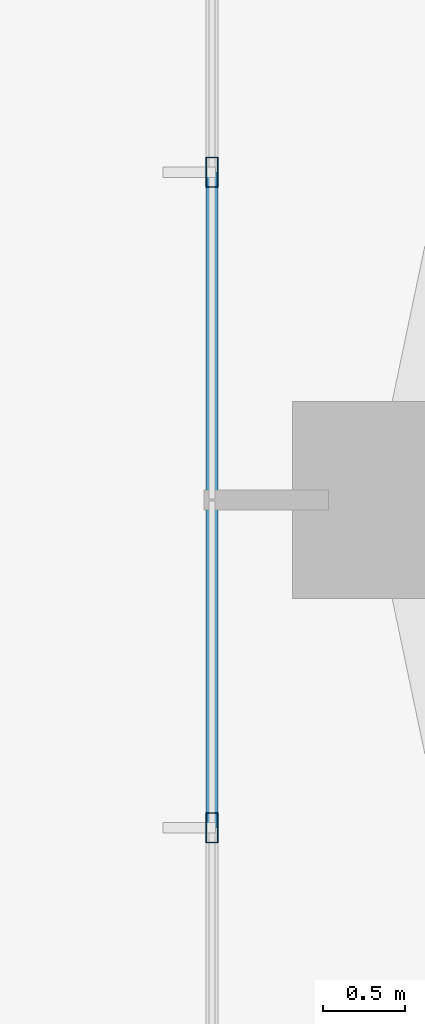
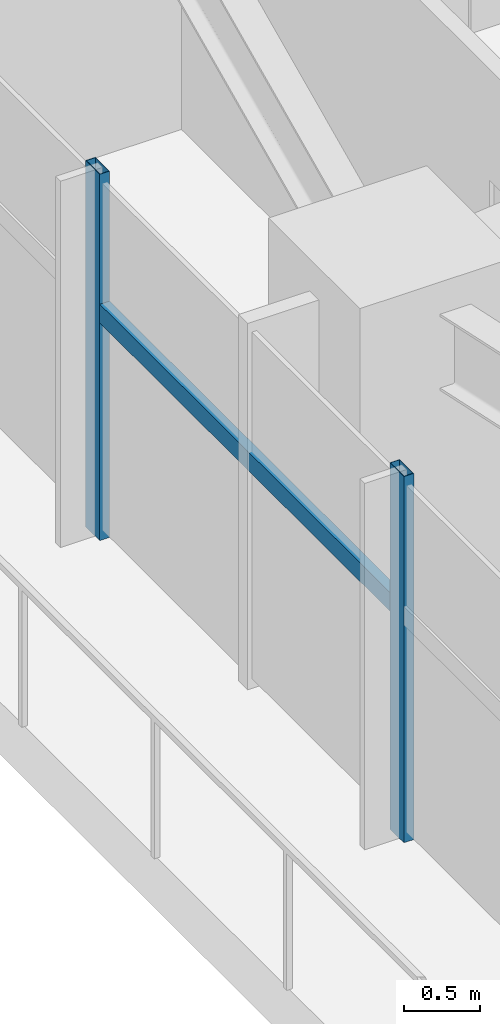
# One storey, part 4 of 26: 3 members, 1 element without a shape of its own.
"""IFC4 building model written with IfcOpenShell, lengths in metres."""

from ifc_helpers import new_model, si_unit, direction, frame, origin, origin_2d, place, context, subcontext, project, spatial, hollow_rectangle, extrude, source, transform, mapped, material, material_profile, profile_set, type_object, type_shapes, element, aggregate, save


model = new_model("IFC4")

# Units and contexts
model_context = context("Model", 3, precision=1e-05, world=origin(), true_north=direction((0.0, 1.0)))
body_context = subcontext(model_context, "Body", "Model", "MODEL_VIEW")
ifc_project = project(units=[si_unit("LENGTHUNIT", "METRE"), si_unit("AREAUNIT", "SQUARE_METRE"), si_unit("VOLUMEUNIT", "CUBIC_METRE"), si_unit("PLANEANGLEUNIT", "RADIAN"), si_unit("MASSUNIT", "GRAM", prefix="KILO")], contexts=[model_context])

# Site, building, storey
site_placement = place(None, origin())
site = spatial("IfcSite", under=ifc_project, at=site_placement, CompositionType="ELEMENT")
building_placement = place(site_placement, origin())
building = spatial("IfcBuilding", under=site, at=building_placement, Name="Astriad Promenade Condominiums", CompositionType="ELEMENT")
storey_placement = place(building_placement, frame((0.0, 0.0, 23.0)))
storey = spatial("IfcBuildingStorey", under=building, at=storey_placement, Name="L05", CompositionType="ELEMENT", Elevation=23.0)

# Curtain wall, members
ifc_material_1 = material(Name="Anodised aluminium Black Dark Glass Unitised", Category="aluminium")
curtain_wall_type = type_object("IfcCurtainWallType", Name="CW-B1-DARK", PredefinedType="USERDEFINED", material=ifc_material_1)
curtain_wall_placement = place(storey_placement, origin())
curtain_wall = element("IfcCurtainWall", 1, at=curtain_wall_placement, inside=storey, type_object=curtain_wall_type, Name="CW-L05-W", ObjectType="UNITISED_CURTAIN_WALL", PredefinedType="USERDEFINED")
ifc_material_2 = material(Name="Anodised aluminium 6063-T6 Black", Category="aluminium")
ifc_material_profile_1 = material_profile(ifc_material_2, hollow_rectangle(XDim=0.074951171875, YDim=0.18505859375, WallThickness=0.00439453125, at=origin_2d()), Name="ALU-MUL-75X185")
ifc_profile_set_1 = profile_set([ifc_material_profile_1], Name="Anodised aluminium 6063-T6 Black")
member_type_1 = type_object("IfcMemberType", Name="MUL-ALU-MUL-75X185", PredefinedType="MULLION", material=ifc_profile_set_1)
shared_shape_1 = source(origin(), body_context, "Body", "SweptSolid", [
    extrude(hollow_rectangle(XDim=0.074951171875, YDim=0.18505859375, WallThickness=0.00439453125, at=origin_2d()), origin(), (0.0, 0.0, 1.0), 2.93994140625),
])
type_shapes(member_type_1, [shared_shape_1])
member_1_placement = place(storey_placement, frame((5.929931640625, 13.199951171875, 0.0), z_axis=(0.0, 0.0, 1.0), x_axis=(1.0, 0.0, 0.0)))
member_1 = element("IfcMember", 2, at=member_1_placement, type_object=member_type_1, Name="CW-L05-W-MUL-02", PredefinedType="MULLION", context=body_context, shape_type="MappedRepresentation", body=[
    mapped(shared_shape_1, transform((0.0, 0.0, 0.0), scale=1.0)),
])
member_2_placement = place(storey_placement, frame((5.929931640625, 17.199951171875, 0.0), z_axis=(0.0, 0.0, 1.0), x_axis=(1.0, 0.0, 0.0)))
member_2 = element("IfcMember", 3, at=member_2_placement, type_object=member_type_1, Name="CW-L05-W-MUL-03", PredefinedType="MULLION", context=body_context, shape_type="MappedRepresentation", body=[
    mapped(shared_shape_1, transform((0.0, 0.0, 0.0), scale=1.0)),
])
ifc_material_profile_2 = material_profile(ifc_material_2, hollow_rectangle(XDim=0.074951171875, YDim=0.14990234375, WallThickness=0.004150390625, at=origin_2d()), Name="ALU-TRN-75X150")
ifc_profile_set_2 = profile_set([ifc_material_profile_2], Name="Anodised aluminium 6063-T6 Black")
member_type_2 = type_object("IfcMemberType", Name="TRN-ALU-TRN-75X150", PredefinedType="USERDEFINED", material=ifc_profile_set_2)
shared_shape_2 = source(origin(), body_context, "Body", "SweptSolid", [
    extrude(hollow_rectangle(XDim=0.074951171875, YDim=0.14990234375, WallThickness=0.004150390625, at=origin_2d()), origin(), (0.0, 0.0, 1.0), 4.0),
])
type_shapes(member_type_2, [shared_shape_2])
member_3_placement = place(storey_placement, frame((5.929931640625, 13.199951171875, 1.82275390625), z_axis=(0.0, 1.0, 0.0), x_axis=(-1.0, 0.0, 0.0)))
member_3 = element("IfcMember", 4, at=member_3_placement, type_object=member_type_2, Name="CW-L05-W-TRN-02-0", ObjectType="TRANSOM", PredefinedType="USERDEFINED", context=body_context, shape_type="MappedRepresentation", body=[
    mapped(shared_shape_2, transform((0.0, 0.0, 0.0), scale=1.0)),
])
aggregate(curtain_wall, [member_1, member_2, member_3])

save(model, "model.ifc")
